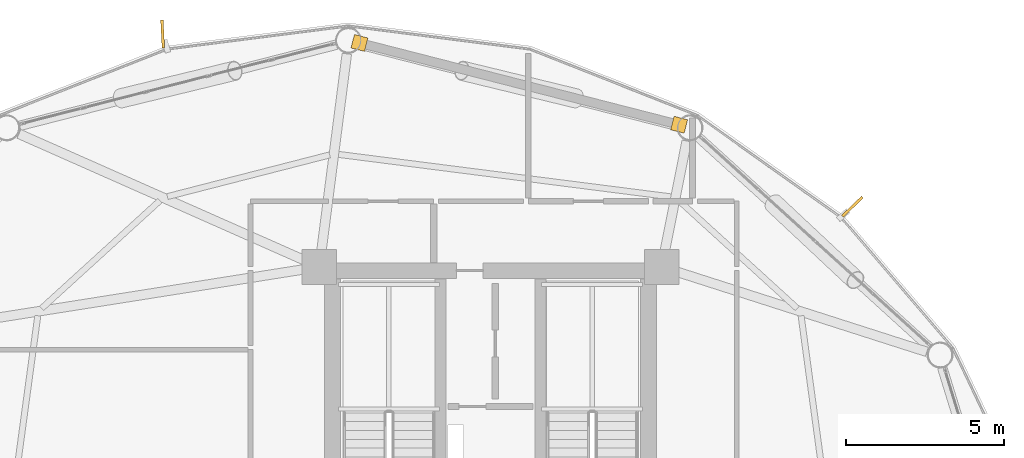
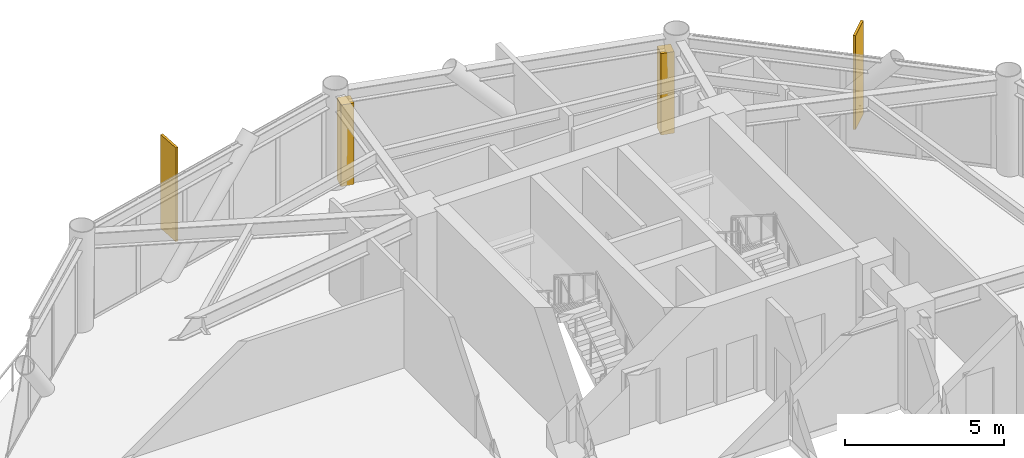
# One storey, part 25 of 25: 2 coverings, 2 shading devices.
"""IFC4 building model written with IfcOpenShell, lengths in metres."""

from ifc_helpers import new_model, si_unit, direction, frame, origin, origin_2d, place, context, subcontext, project, spatial, rectangle, extrude, source, transform, mapped, material, layer, layer_set, type_object, type_shapes, element, save


model = new_model("IFC4")

# Units and contexts
model_context = context("Model", 3, precision=1e-05, world=origin(), true_north=direction((0.0, 1.0)))
body_context = subcontext(model_context, "Body", "Model", "MODEL_VIEW")
ifc_project = project(units=[si_unit("LENGTHUNIT", "METRE"), si_unit("AREAUNIT", "SQUARE_METRE"), si_unit("VOLUMEUNIT", "CUBIC_METRE"), si_unit("PLANEANGLEUNIT", "RADIAN"), si_unit("MASSUNIT", "GRAM", prefix="KILO")], contexts=[model_context])

# Site, building, storey
site_placement = place(None, origin())
site = spatial("IfcSite", under=ifc_project, at=site_placement, CompositionType="ELEMENT")
building_placement = place(site_placement, origin())
building = spatial("IfcBuilding", under=site, at=building_placement, Name="Varnakorn Sky Granary", CompositionType="ELEMENT")
storey_placement = place(building_placement, frame((0.0, 0.0, 91.5)))
storey = spatial("IfcBuildingStorey", under=building, at=storey_placement, Name="L22", CompositionType="ELEMENT", Elevation=91.5)

# Shading devices
ifc_material = material(Name="Anodised Bronze Aluminium Alloy 6063-T6", Category="aluminium")
shading_device_type = type_object("IfcShadingDeviceType", Name="SH-FIN-01", PredefinedType="USERDEFINED", material=ifc_material)
shared_shape_1 = source(origin(), body_context, "Body", "SweptSolid", [
    extrude(rectangle(XDim=0.0849609375, YDim=0.8798828125, at=origin_2d()), origin(), (0.0, 0.0, 1.0), 3.60009765625),
])
type_shapes(shading_device_type, [shared_shape_1])
for number, where, z_axis, x_axis, name in (
    (1, (14.46435546875, 14.52880859375, -0.0400390625), (0.0, 0.0, 1.0), (-0.692243105776, 0.721664383564, 0.0), "Bronze Solar-Tracking Vertical Blade FIN L22-02"),
    (2, (-7.38427734375, 19.998046875, -0.0400390625), (0.0, 0.0, 1.0), (-0.99867840506, -0.051394973167, 0.0), "Bronze Solar-Tracking Vertical Blade FIN L22-04"),
):
    element("IfcShadingDevice", number, at=place(storey_placement, frame(where, z_axis=z_axis, x_axis=x_axis)), inside=storey, type_object=shading_device_type, Name=name, ObjectType="FIN", PredefinedType="USERDEFINED", context=body_context, shape_type="MappedRepresentation", body=[
        mapped(shared_shape_1, transform((0.0, 0.0, 0.0), x_axis=(1.0, 0.0, 0.0), y_axis=(0.0, 1.0, 0.0), z_axis=(0.0, 0.0, 1.0), scale=1.0)),
    ])

# Coverings
ifc_layer = layer(ifc_material, 0.050048828125, Name="Anodised Bronze Aluminium Alloy 6063-T6")
ifc_layer_set = layer_set([ifc_layer], Name="Anodised Bronze Aluminium Alloy 6063-T6")
covering_type = type_object("IfcCoveringType", Name="CV-CLAD-50", PredefinedType="CLADDING", material=ifc_layer_set)
shared_shape_2 = source(origin(), body_context, "Body", "SweptSolid", [
    extrude(rectangle(XDim=0.43994140625, YDim=0.43994140625, at=origin_2d()), origin(), (0.0, 0.0, 1.0), 3.1298828125),
])
type_shapes(covering_type, [shared_shape_2])
for number, where, z_axis, x_axis, name in (
    (3, (-1.14990234375, 19.71240234375, -0.02001953125), (0.0, 0.0, 1.0), (0.968799815159, -0.247844544316, 0.0), "Bronze Corner Pilaster Closure L22-P03-A"),
    (4, (8.973876953125, 17.12158203125, -0.02001953125), (0.0, 0.0, 1.0), (0.968799815159, -0.247844544316, 0.0), "Bronze Corner Pilaster Closure L22-P03-B"),
):
    element("IfcCovering", number, at=place(storey_placement, frame(where, z_axis=z_axis, x_axis=x_axis)), inside=storey, type_object=covering_type, Name=name, PredefinedType="CLADDING", context=body_context, shape_type="MappedRepresentation", body=[
        mapped(shared_shape_2, transform((0.0, 0.0, 0.0), x_axis=(1.0, 0.0, 0.0), y_axis=(0.0, 1.0, 0.0), z_axis=(0.0, 0.0, 1.0), scale=1.0)),
    ])

save(model, "model.ifc")
